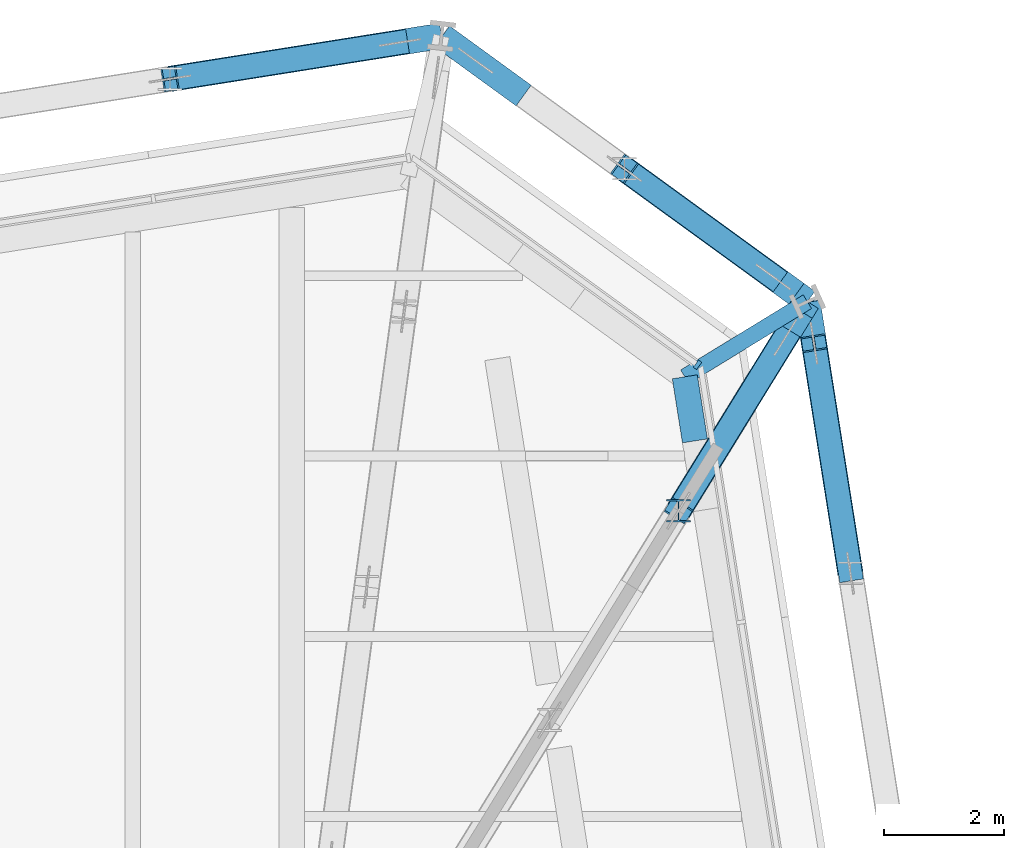
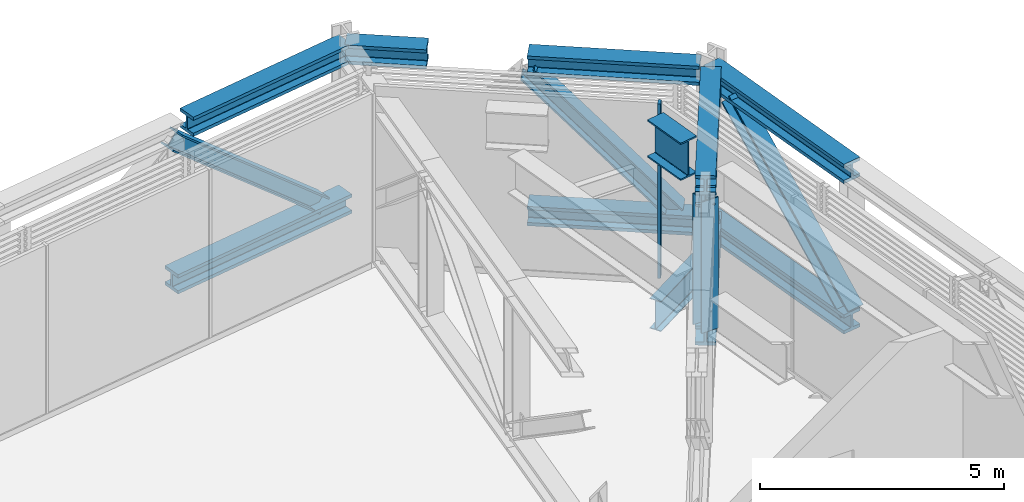
# One storey, part 18 of 31: 11 beams, 6 members, 1 element without a shape of its own.
"""IFC4 building model written with IfcOpenShell, lengths in metres."""

import ifcopenshell
import ifcopenshell.guid

model = None  # the IFC model being written
_history = None  # IfcOwnerHistory: only IFC2X3 demands one
_inside = {}  # id of a spatial element -> (the spatial element, [elements in it])
_under = {}  # id of a project, library or spatial element -> (it, [spatial elements below it])
_declared = {}  # id of a project -> (the project, [libraries it declares])
_typed = {}  # id of a type object -> (the type object, [elements of that type])
_made_of = {}  # id of a material, layer set ... -> (it, [elements and type objects made of it])


def new_model(schema):
    """Start an empty IFC model of exactly this schema.

    Asked for "IFC4X3", IfcOpenShell would pick the latest addendum, in which some entities
    have other attributes; the version numbers below select the first issue.
    IFC2X3 requires an IfcOwnerHistory on every rooted entity: one is made here for all.
    """
    global model, _history
    if schema == "IFC4X3":
        model = ifcopenshell.file(schema_version=(4, 3, 0, 0))
    else:
        model = ifcopenshell.file(schema=schema)
    _inside.clear()
    _under.clear()
    _declared.clear()
    _typed.clear()
    _made_of.clear()
    _history = None
    if model.schema == "IFC2X3":
        org = make("IfcOrganization", Name="unknown")
        user = make(
            "IfcPersonAndOrganization",
            ThePerson=make("IfcPerson", FamilyName="unknown"),
            TheOrganization=org,
        )
        app = make(
            "IfcApplication",
            ApplicationDeveloper=org,
            Version="unknown",
            ApplicationFullName="unknown",
            ApplicationIdentifier="unknown",
        )
        _history = make(
            "IfcOwnerHistory",
            OwningUser=user,
            OwningApplication=app,
            ChangeAction="ADDED",
            CreationDate=0,
        )
    return model


def make(cls, **values):
    """One entity of the class cls with the attributes given. An attribute that is None is left unset."""
    return model.create_entity(
        cls, **{name: value for name, value in values.items() if value is not None}
    )


def rooted(cls, **values):
    """An entity with a GlobalId (a new one), such as an element, a storey or a relation."""
    return make(cls, GlobalId=ifcopenshell.guid.new(), OwnerHistory=_history, **values)


def si_unit(unit_type, name, prefix=None):
    """IfcSIUnit, for example si_unit("LENGTHUNIT", "METRE", prefix="MILLI")."""
    return make("IfcSIUnit", UnitType=unit_type, Prefix=prefix, Name=name)


def assignment(units):
    """IfcUnitAssignment: the units of a project."""
    return None if units is None else make("IfcUnitAssignment", Units=units)


def point(xyz):
    """IfcCartesianPoint."""
    return None if xyz is None else make("IfcCartesianPoint", Coordinates=xyz)


def direction(xyz):
    """IfcDirection."""
    return None if xyz is None else make("IfcDirection", DirectionRatios=xyz)


def frame(location, z_axis=None, x_axis=None):
    """IfcAxis2Placement3D, a coordinate frame: its origin and axes. An axis left out is left unset."""
    return make(
        "IfcAxis2Placement3D",
        Location=point(location),
        Axis=direction(z_axis),
        RefDirection=direction(x_axis),
    )


def frame_2d(location, x_axis=None):
    """IfcAxis2Placement2D, a coordinate frame in the plane: its origin and x axis."""
    return make(
        "IfcAxis2Placement2D", Location=point(location), RefDirection=direction(x_axis)
    )


def origin():
    """The frame at (0, 0, 0) with its axes left unset."""
    return frame((0.0, 0.0, 0.0))


def origin_2d():
    """The frame at (0, 0) in the plane with its x axis left unset."""
    return frame_2d((0.0, 0.0))


def place(relative_to, where):
    """IfcLocalPlacement: puts the frame where relative to a parent placement (None: the world)."""
    return make(
        "IfcLocalPlacement", PlacementRelTo=relative_to, RelativePlacement=where
    )


def context(
    kind, dimensions, precision=None, world=None, true_north=None, identifier=None
):
    """IfcGeometricRepresentationContext, for example the 3D "Model" context."""
    return make(
        "IfcGeometricRepresentationContext",
        ContextIdentifier=identifier,
        ContextType=kind,
        CoordinateSpaceDimension=dimensions,
        Precision=precision,
        WorldCoordinateSystem=world,
        TrueNorth=true_north,
    )


def subcontext(parent, identifier, kind, view, scale=None):
    """IfcGeometricRepresentationSubContext, for example "Body" below "Model"."""
    return make(
        "IfcGeometricRepresentationSubContext",
        ContextIdentifier=identifier,
        ContextType=kind,
        ParentContext=parent,
        TargetScale=scale,
        TargetView=view,
    )


def project(units=None, contexts=None):
    """IfcProject with its units and contexts."""
    return rooted(
        "IfcProject",
        Name="project",
        RepresentationContexts=contexts,
        UnitsInContext=assignment(units),
    )


def spatial(cls, under=None, at=None, **own):
    """A site, building, storey or space (cls), placed at a placement, below another one or the project."""
    s = rooted(cls, ObjectPlacement=at, **own)
    if under is not None:
        _under.setdefault(under.id(), (under, []))[1].append(s)
    return s


def profile(cls, at=None, kind="AREA", **sizes):
    """A parametric profile (cls). Its sizes go by their IFC names, for example OverallWidth=200.0."""
    return make(cls, ProfileType=kind, Position=at, **sizes)


def rectangle(**sizes):
    """IfcRectangleProfileDef."""
    return profile("IfcRectangleProfileDef", **sizes)


def i_section(**sizes):
    """IfcIShapeProfileDef."""
    return profile("IfcIShapeProfileDef", **sizes)


def extrude(swept, where, along, depth):
    """IfcExtrudedAreaSolid: the profile swept, set in the frame where, extruded along a direction by depth."""
    return make(
        "IfcExtrudedAreaSolid",
        SweptArea=swept,
        Position=where,
        ExtrudedDirection=direction(along),
        Depth=depth,
    )


def shape(context_of_items, identifier, shape_type, items):
    """IfcShapeRepresentation: the items that make up one representation, for example the "Body"."""
    return make(
        "IfcShapeRepresentation",
        ContextOfItems=context_of_items,
        RepresentationIdentifier=identifier,
        RepresentationType=shape_type,
        Items=items,
    )


def material(Name=None, Category=None):
    """IfcMaterial."""
    return make("IfcMaterial", Name=Name, Category=Category)


def layer(
    of_material, thickness, ventilated=None, Name=None, Category=None, Priority=None
):
    """IfcMaterialLayer: one layer of a wall or slab, of a material (None: an air gap)."""
    return make(
        "IfcMaterialLayer",
        Material=of_material,
        LayerThickness=thickness,
        IsVentilated=ventilated,
        Name=Name,
        Category=Category,
        Priority=Priority,
    )


def layer_set(layers, Name=None):
    """IfcMaterialLayerSet."""
    return make("IfcMaterialLayerSet", MaterialLayers=layers, LayerSetName=Name)


def material_profile(
    of_material, cross_section, Name=None, Category=None, Priority=None
):
    """IfcMaterialProfile: a cross section and its material."""
    return make(
        "IfcMaterialProfile",
        Name=Name,
        Material=of_material,
        Profile=cross_section,
        Priority=Priority,
        Category=Category,
    )


def profile_set(profiles, Name=None, composite=None):
    """IfcMaterialProfileSet."""
    return make(
        "IfcMaterialProfileSet",
        Name=Name,
        MaterialProfiles=profiles,
        CompositeProfile=composite,
    )


def made_of(thing, what):
    """Note that an element or type object is made of a material, layer set ...; save() writes the relation."""
    if what is not None:
        _made_of.setdefault(what.id(), (what, []))[1].append(thing)
    return thing


def type_object(cls, material=None, **own):
    """A type object (cls), such as IfcWallType, which elements share."""
    return made_of(rooted(cls, **own), material)


def element(
    cls,
    number,
    at=None,
    inside=None,
    cuts=None,
    type_object=None,
    material=None,
    context=None,
    identifier="Body",
    shape_type=None,
    held_by="IfcProductDefinitionShape",
    body=None,
    shapes=None,
    **own,
):
    """One element of the class cls, such as IfcWall. Its Tag is "e" and its number.

    at: its placement. inside: the storey or other place that contains it. cuts: it is an
    opening in that element (IfcRelVoidsElement). A single representation is given by context,
    identifier, shape_type and body (its items); several are given by shapes. held_by: the class
    of the entity that holds the representations. save() writes the other relations.
    """
    e = rooted(cls, Tag="e%d" % number, ObjectPlacement=at, **own)
    if body is not None:
        shapes = [shape(context, identifier, shape_type, body)]
    if shapes is not None:
        e.Representation = make(held_by, Representations=shapes)
    if inside is not None:
        _inside.setdefault(inside.id(), (inside, []))[1].append(e)
    if cuts is not None:
        rooted(
            "IfcRelVoidsElement", RelatingBuildingElement=cuts, RelatedOpeningElement=e
        )
    if type_object is not None:
        _typed.setdefault(type_object.id(), (type_object, []))[1].append(e)
    return made_of(e, material)


def aggregate(whole, parts):
    """IfcRelAggregates: a whole, such as a stair, and the parts it consists of."""
    return rooted("IfcRelAggregates", RelatingObject=whole, RelatedObjects=parts)


def save(model, path):
    """Write the relations noted so far, then the file.

    IfcRelAggregates (storeys below a building ...), IfcRelContainedInSpatialStructure (elements
    in a storey), IfcRelDefinesByType, IfcRelAssociatesMaterial and IfcRelDeclares: one each for
    every whole, place, type object, material and project.
    """
    for whole, parts in _under.values():
        aggregate(whole, parts)
    for where, things in _inside.values():
        rooted(
            "IfcRelContainedInSpatialStructure",
            RelatedElements=things,
            RelatingStructure=where,
        )
    for kind, things in _typed.values():
        rooted("IfcRelDefinesByType", RelatedObjects=things, RelatingType=kind)
    for what, things in _made_of.values():
        rooted("IfcRelAssociatesMaterial", RelatedObjects=things, RelatingMaterial=what)
    for by, libraries in _declared.values():
        rooted("IfcRelDeclares", RelatingContext=by, RelatedDefinitions=libraries)
    model.write(path)


model = new_model("IFC4")

# Units and contexts
model_context = context("Model", 3, precision=1e-05, world=origin(), true_north=direction((0.0, 1.0)))
body_context = subcontext(model_context, "Body", "Model", "MODEL_VIEW")
ifc_project = project(units=[si_unit("LENGTHUNIT", "METRE"), si_unit("AREAUNIT", "SQUARE_METRE"), si_unit("VOLUMEUNIT", "CUBIC_METRE"), si_unit("PLANEANGLEUNIT", "RADIAN"), si_unit("MASSUNIT", "GRAM", prefix="KILO")], contexts=[model_context])

# Site, building, storey
site_placement = place(None, origin())
site = spatial("IfcSite", under=ifc_project, at=site_placement, CompositionType="ELEMENT")
building_placement = place(site_placement, origin())
building = spatial("IfcBuilding", under=site, at=building_placement, Name="Millrace Tower", CompositionType="ELEMENT")
storey_placement = place(building_placement, frame((0.0, 0.0, 195.60009765625)))
storey = spatial("IfcBuildingStorey", under=building, at=storey_placement, Name="L44", CompositionType="ELEMENT", Elevation=195.60009765625)

# Beams
ifc_material_1 = material(Name="Steel ASTM A992 Grade 50", Category="steel")
ifc_material_profile_1 = material_profile(ifc_material_1, i_section(OverallWidth=0.4267578125, OverallDepth=0.482666015625, WebThickness=0.05126953125, FlangeThickness=0.08154296875, FilletRadius=0.01513671875, at=origin_2d()))
ifc_profile_set_1 = profile_set([ifc_material_profile_1], Name="Steel ASTM A992 Grade 50")
beam_type_1 = type_object("IfcBeamType", Name="Belt truss chord W14x455", PredefinedType="BEAM", material=ifc_profile_set_1)
beam_1_placement = place(storey_placement, frame((23.9453125, 19.04931640625, 0.2412109375), z_axis=(-0.156425557764, 0.987689751328, 0.0), x_axis=(-0.987689751328, -0.156425557764, 0.0)))
element("IfcBeam", 1, at=beam_1_placement, inside=storey, type_object=beam_type_1, Name="BLT-L44-R08-B03", PredefinedType="BEAM", context=body_context, shape_type="SweptSolid", body=[
    extrude(i_section(OverallWidth=0.4267578125, OverallDepth=0.482666015625, WebThickness=0.05126953125, FlangeThickness=0.08154296875, FilletRadius=0.01513671875, at=origin_2d()), origin(), (0.0, 0.0, 1.0), 4.576171875),
])
beam_2_placement = place(storey_placement, frame((23.2294921875, 23.569091796875, 0.2412109375), z_axis=(-0.809024978662, 0.587774262707, 0.0), x_axis=(-0.587774262707, -0.809024978662, 0.0)))
element("IfcBeam", 2, at=beam_2_placement, inside=storey, type_object=beam_type_1, Name="BLT-L44-R09-B01", PredefinedType="BEAM", context=body_context, shape_type="SweptSolid", body=[
    extrude(i_section(OverallWidth=0.4267578125, OverallDepth=0.482666015625, WebThickness=0.05126953125, FlangeThickness=0.08154296875, FilletRadius=0.01513671875, at=origin_2d()), origin(), (0.0, 0.0, 1.0), 3.7626953125),
])
beam_3_placement = place(storey_placement, frame((17.140869140625, 27.99267578125, 0.2412109375), z_axis=(-0.987689751328, -0.156425557764, 0.0), x_axis=(0.156425557764, -0.987689751328, 0.0)))
element("IfcBeam", 3, at=beam_3_placement, inside=storey, type_object=beam_type_1, Name="BLT-L44-R10-B01", PredefinedType="BEAM", context=body_context, shape_type="SweptSolid", body=[
    extrude(i_section(OverallWidth=0.4267578125, OverallDepth=0.482666015625, WebThickness=0.05126953125, FlangeThickness=0.08154296875, FilletRadius=0.01513671875, at=origin_2d()), origin(), (0.0, 0.0, 1.0), 4.576171875),
])
beam_4_placement = place(storey_placement, frame((23.9453125, 19.04931640625, 3.99853515625), z_axis=(-0.156451293065, 0.987685675151, 0.0), x_axis=(-0.987685675151, -0.156451293065, 0.0)))
element("IfcBeam", 4, at=beam_4_placement, inside=storey, type_object=beam_type_1, Name="BLT-L44-R08-T03", PredefinedType="BEAM", context=body_context, shape_type="SweptSolid", body=[
    extrude(i_section(OverallWidth=0.4267578125, OverallDepth=0.482666015625, WebThickness=0.05126953125, FlangeThickness=0.08154296875, FilletRadius=0.01513671875, at=origin_2d()), origin(), (0.0, 0.0, 1.0), 4.56591796875),
])
beam_5_placement = place(storey_placement, frame((23.04833984375, 23.70068359375, 3.99853515625), z_axis=(-0.809022381895, 0.587777836936, 0.0), x_axis=(-0.587777836936, -0.809022381895, 0.0)))
element("IfcBeam", 5, at=beam_5_placement, inside=storey, type_object=beam_type_1, Name="BLT-L44-R09-T01", PredefinedType="BEAM", context=body_context, shape_type="SweptSolid", body=[
    extrude(i_section(OverallWidth=0.4267578125, OverallDepth=0.482666015625, WebThickness=0.05126953125, FlangeThickness=0.08154296875, FilletRadius=0.01513671875, at=origin_2d()), origin(), (0.0, 0.0, 1.0), 3.538818359375),
])
beam_6_placement = place(storey_placement, frame((17.140869140625, 27.99267578125, 3.99853515625), z_axis=(-0.987683190267, -0.156466979467, 0.0), x_axis=(0.156466979467, -0.987683190267, 0.0)))
element("IfcBeam", 6, at=beam_6_placement, inside=storey, type_object=beam_type_1, Name="BLT-L44-R10-T01", PredefinedType="BEAM", context=body_context, shape_type="SweptSolid", body=[
    extrude(i_section(OverallWidth=0.4267578125, OverallDepth=0.482666015625, WebThickness=0.05126953125, FlangeThickness=0.08154296875, FilletRadius=0.01513671875, at=origin_2d()), origin(), (0.0, 0.0, 1.0), 4.175537109375),
])
beam_7_placement = place(storey_placement, frame((18.50732421875, 26.999755859375, 3.99853515625), z_axis=(-0.808981221768, 0.587834485911, 0.0), x_axis=(-0.587834485911, -0.808981221768, 0.0)))
element("IfcBeam", 7, at=beam_7_placement, inside=storey, type_object=beam_type_1, Name="BLT-L44-R09-T02-b", PredefinedType="BEAM", context=body_context, shape_type="SweptSolid", body=[
    extrude(i_section(OverallWidth=0.4267578125, OverallDepth=0.482666015625, WebThickness=0.05126953125, FlangeThickness=0.08154296875, FilletRadius=0.01513671875, at=origin_2d()), origin(), (0.0, 0.0, 1.0), 1.67919921875),
])

# Members
ifc_material_2 = material(Name="Steel ASTM A992 Grade 50", Category="steel")
ifc_material_profile_2 = material_profile(ifc_material_2, i_section(OverallWidth=0.398681640625, OverallDepth=0.393798828125, WebThickness=0.022705078125, FlangeThickness=0.03662109375, FilletRadius=0.01513671875, at=origin_2d()))
ifc_profile_set_2 = profile_set([ifc_material_profile_2], Name="Steel ASTM A992 Grade 50")
member_type_1 = type_object("IfcMemberType", Name="Belt truss diagonal W14x193", PredefinedType="BRACE", material=ifc_profile_set_2)
member_1_placement = place(storey_placement, frame((23.9453125, 19.04931640625, 0.482421875), z_axis=(-0.119511586918, 0.754452976838, 0.64538181438), x_axis=(-0.987684704581, -0.156457420202, 0.0)))
element("IfcMember", 8, at=member_1_placement, inside=storey, type_object=member_type_1, Name="BLT-L44-R08-D03", PredefinedType="BRACE", context=body_context, shape_type="SweptSolid", body=[
    extrude(i_section(OverallWidth=0.398681640625, OverallDepth=0.393798828125, WebThickness=0.022705078125, FlangeThickness=0.03662109375, FilletRadius=0.01513671875, at=origin_2d()), origin(), (0.0, 0.0, 1.0), 5.074462890625),
])
member_2_placement = place(storey_placement, frame((22.6630859375, 23.98046875, 0.482421875), z_axis=(-0.552594309625, 0.40150068373, 0.730367530723), x_axis=(-0.587801941336, -0.809004868812, 0.0)))
element("IfcMember", 9, at=member_2_placement, inside=storey, type_object=member_type_1, Name="BLT-L44-R09-D01", PredefinedType="BRACE", context=body_context, shape_type="SweptSolid", body=[
    extrude(i_section(OverallWidth=0.398681640625, OverallDepth=0.393798828125, WebThickness=0.022705078125, FlangeThickness=0.03662109375, FilletRadius=0.01513671875, at=origin_2d()), origin(), (0.0, 0.0, 1.0), 4.48388671875),
])
member_3_placement = place(storey_placement, frame((16.449462890625, 27.883056640625, 0.482421875), z_axis=(-0.754457314112, -0.119464161147, 0.645385524616), x_axis=(0.156395975046, -0.987694436043, 0.0)))
element("IfcMember", 10, at=member_3_placement, inside=storey, type_object=member_type_1, Name="BLT-L44-R10-D01", PredefinedType="BRACE", context=body_context, shape_type="SweptSolid", body=[
    extrude(i_section(OverallWidth=0.398681640625, OverallDepth=0.393798828125, WebThickness=0.022705078125, FlangeThickness=0.03662109375, FilletRadius=0.01513671875, at=origin_2d()), origin(), (0.0, 0.0, 1.0), 5.07421875),
])

# Curtain wall, member
ifc_material_3 = material(Name="Aluminium and glass", Category="aluminium")
ifc_layer = layer(ifc_material_3, 0.14990234375)
ifc_layer_set = layer_set([ifc_layer], Name="Aluminium and glass")
curtain_wall_type = type_object("IfcCurtainWallType", Name="CW-5 truss and plant storey louvred infill", PredefinedType="NOTDEFINED", material=ifc_layer_set)
curtain_wall_placement = place(storey_placement, origin())
curtain_wall = element("IfcCurtainWall", 11, at=curtain_wall_placement, inside=storey, type_object=curtain_wall_type, Name="Curtain wall C-F05 L44", PredefinedType="NOTDEFINED")
ifc_material_4 = material(Name="Aluminium", Category="aluminium")
ifc_material_profile_3 = material_profile(ifc_material_4, rectangle(XDim=0.06494140625, YDim=0.14990234375, at=origin_2d()))
ifc_profile_set_3 = profile_set([ifc_material_profile_3], Name="Aluminium")
member_type_2 = type_object("IfcMemberType", Name="CW-5 truss and plant storey louvred infill mullion", PredefinedType="MULLION", material=ifc_profile_set_3)
member_4_placement = place(storey_placement, frame((21.4013671875, 22.517822265625, 0.139892578125), z_axis=(0.0, 0.0, 1.0), x_axis=(-0.809016981623, 0.587785269844, 0.0)))
member_4 = element("IfcMember", 12, at=member_4_placement, type_object=member_type_2, Name="CW5 mullion C-F05.1", PredefinedType="MULLION", context=body_context, shape_type="SweptSolid", body=[
    extrude(rectangle(XDim=0.06494140625, YDim=0.14990234375, at=origin_2d()), origin(), (0.0, 0.0, 1.0), 4.360107421875),
])
aggregate(curtain_wall, [member_4])

# Beams
ifc_material_5 = material(Name="Steel ASTM A992 Grade 50", Category="steel")
ifc_material_profile_4 = material_profile(ifc_material_5, i_section(OverallWidth=0.2666015625, OverallDepth=0.7568359375, WebThickness=0.013916015625, FlangeThickness=0.019287109375, FilletRadius=0.0166015625, at=origin_2d()))
ifc_profile_set_4 = profile_set([ifc_material_profile_4], Name="Steel ASTM A992 Grade 50")
beam_type_2 = type_object("IfcBeamType", Name="Link beam W30x108", PredefinedType="BEAM", material=ifc_profile_set_4)
beam_8_placement = place(storey_placement, frame((21.189208984375, 22.31884765625, -0.628662109375), z_axis=(0.852648172602, 0.522485496218, 0.0), x_axis=(-0.522485496218, 0.852648172602, 0.0)))
element("IfcBeam", 13, at=beam_8_placement, inside=storey, type_object=beam_type_2, Name="LNK-C-L44-S1-09", PredefinedType="BEAM", context=body_context, shape_type="SweptSolid", body=[
    extrude(i_section(OverallWidth=0.2666015625, OverallDepth=0.7568359375, WebThickness=0.013916015625, FlangeThickness=0.019287109375, FilletRadius=0.0166015625, at=origin_2d()), origin(), (0.0, 0.0, 1.0), 2.392822265625),
])
ifc_material_6 = material(Name="Steel ASTM A992 Grade 50", Category="steel")
ifc_material_profile_5 = material_profile(ifc_material_6, i_section(OverallWidth=0.4267578125, OverallDepth=0.482666015625, WebThickness=0.05126953125, FlangeThickness=0.08154296875, FilletRadius=0.01513671875, at=origin_2d()))
ifc_profile_set_5 = profile_set([ifc_material_profile_5], Name="Steel ASTM A992 Grade 50")
beam_type_3 = type_object("IfcBeamType", Name="Outrigger truss chord W14x455", PredefinedType="BEAM", material=ifc_profile_set_5)
beam_9_placement = place(storey_placement, frame((21.08447265625, 20.08935546875, 0.2412109375), z_axis=(0.524743739992, 0.85126024654, 0.0), x_axis=(-0.85126024654, 0.524743739992, 0.0)))
element("IfcBeam", 14, at=beam_9_placement, inside=storey, type_object=beam_type_3, Name="BLT-L44-O09-B04", PredefinedType="BEAM", context=body_context, shape_type="SweptSolid", body=[
    extrude(i_section(OverallWidth=0.4267578125, OverallDepth=0.482666015625, WebThickness=0.05126953125, FlangeThickness=0.08154296875, FilletRadius=0.01513671875, at=origin_2d()), origin(), (0.0, 0.0, 1.0), 4.087646484375),
])
beam_10_placement = place(storey_placement, frame((21.08447265625, 20.08935546875, 3.99853515625), z_axis=(0.524747890048, 0.8512576883, 0.0), x_axis=(-0.8512576883, 0.524747890048, 0.0)))
element("IfcBeam", 15, at=beam_10_placement, inside=storey, type_object=beam_type_3, Name="BLT-L44-O09-T04", PredefinedType="BEAM", context=body_context, shape_type="SweptSolid", body=[
    extrude(i_section(OverallWidth=0.4267578125, OverallDepth=0.482666015625, WebThickness=0.05126953125, FlangeThickness=0.08154296875, FilletRadius=0.01513671875, at=origin_2d()), origin(), (0.0, 0.0, 1.0), 3.894287109375),
])

# Members
ifc_material_7 = material(Name="Steel ASTM A992 Grade 50", Category="steel")
ifc_material_profile_6 = material_profile(ifc_material_7, i_section(OverallWidth=0.398681640625, OverallDepth=0.393798828125, WebThickness=0.022705078125, FlangeThickness=0.03662109375, FilletRadius=0.01513671875, at=origin_2d()))
ifc_profile_set_6 = profile_set([ifc_material_profile_6], Name="Steel ASTM A992 Grade 50")
member_type_3 = type_object("IfcMemberType", Name="Outrigger truss diagonal W14x193", PredefinedType="BRACE", material=ifc_profile_set_6)
member_5_placement = place(storey_placement, frame((22.862060546875, 22.97314453125, 0.482421875), z_axis=(-0.377263152867, -0.612035759054, 0.695042979339), x_axis=(0.851269594916, -0.524728574381, 0.0)))
element("IfcMember", 16, at=member_5_placement, inside=storey, type_object=member_type_3, Name="BLT-L44-O09-D04", PredefinedType="BRACE", context=body_context, shape_type="SweptSolid", body=[
    extrude(i_section(OverallWidth=0.398681640625, OverallDepth=0.393798828125, WebThickness=0.022705078125, FlangeThickness=0.03662109375, FilletRadius=0.01513671875, at=origin_2d()), origin(), (0.0, 0.0, 1.0), 4.7119140625),
])
ifc_material_8 = material(Name="Steel ASTM A992 Grade 50", Category="steel")
ifc_material_profile_7 = material_profile(ifc_material_8, i_section(OverallWidth=0.396240234375, OverallDepth=0.381103515625, WebThickness=0.018798828125, FlangeThickness=0.0302734375, FilletRadius=0.01513671875, at=origin_2d()))
ifc_profile_set_7 = profile_set([ifc_material_profile_7], Name="Steel ASTM A992 Grade 50")
member_type_4 = type_object("IfcMemberType", Name="Outrigger truss post W14x159", PredefinedType="POST", material=ifc_profile_set_7)
member_6_placement = place(storey_placement, frame((21.08447265625, 20.08935546875, 0.482421875), z_axis=(0.0, 0.0, 1.0), x_axis=(1.0, 0.0, 0.0)))
element("IfcMember", 17, at=member_6_placement, inside=storey, type_object=member_type_4, Name="BLT-L44-O09-V03", PredefinedType="POST", context=body_context, shape_type="SweptSolid", body=[
    extrude(i_section(OverallWidth=0.396240234375, OverallDepth=0.381103515625, WebThickness=0.018798828125, FlangeThickness=0.0302734375, FilletRadius=0.01513671875, at=origin_2d()), origin(), (0.0, 0.0, 1.0), 3.27490234375),
])

# Beam
ifc_material_9 = material(Name="Steel ASTM A992 Grade 50", Category="steel")
ifc_material_profile_8 = material_profile(ifc_material_9, i_section(OverallWidth=0.421630859375, OverallDepth=0.937255859375, WebThickness=0.021240234375, FlangeThickness=0.03662109375, FilletRadius=0.024169921875, at=origin_2d()))
ifc_profile_set_8 = profile_set([ifc_material_profile_8], Name="Steel ASTM A992 Grade 50")
beam_type_4 = type_object("IfcBeamType", Name="Ring beam short span W36x262", PredefinedType="SPANDREL", material=ifc_profile_set_8)
beam_11_placement = place(storey_placement, frame((21.189208984375, 22.31884765625, 3.871337890625), z_axis=(0.156403596031, -0.987693229271, 0.0), x_axis=(0.987693229271, 0.156403596031, 0.0)))
element("IfcBeam", 18, at=beam_11_placement, inside=storey, type_object=beam_type_4, Name="RNG-C-L44-R1-01-a", PredefinedType="SPANDREL", context=body_context, shape_type="SweptSolid", body=[
    extrude(i_section(OverallWidth=0.421630859375, OverallDepth=0.937255859375, WebThickness=0.021240234375, FlangeThickness=0.03662109375, FilletRadius=0.024169921875, at=origin_2d()), origin(), (0.0, 0.0, 1.0), 1.080078125),
])

save(model, "model.ifc")
